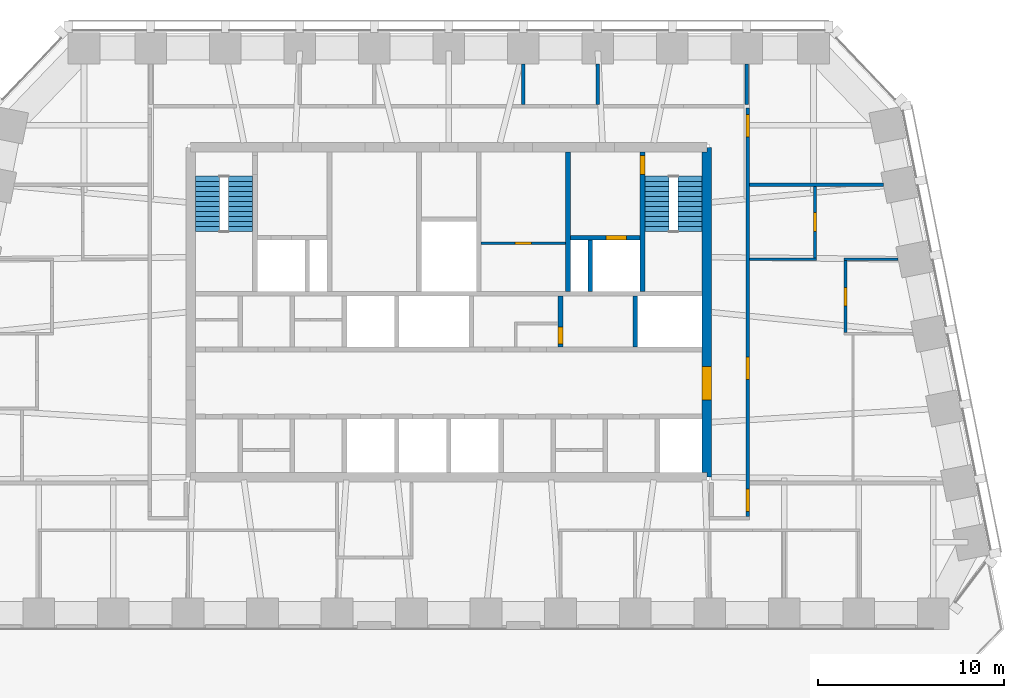
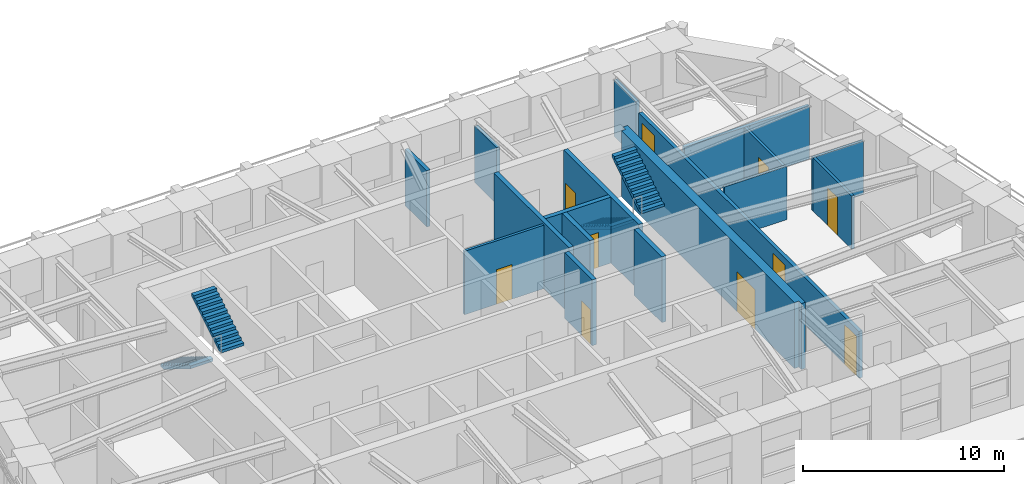
# One storey, part 7 of 10: 17 walls, 10 doors, 4 stair flights, 10 openings, 2 elements without a shape of their own.
"""IFC4 building model written with IfcOpenShell, lengths in metres."""

from ifc_helpers import new_model, si_unit, direction, frame, frame_2d, origin, place, context, subcontext, project, spatial, polyline, rectangle, outline, extrude, material, layer, layer_set, type_object, element, fill, aggregate, save


model = new_model("IFC4")

# Units and contexts
model_context = context("Model", 3, precision=1e-05, world=origin(), true_north=direction((0.0, 1.0)))
body_context = subcontext(model_context, "Body", "Model", "MODEL_VIEW")
ifc_project = project(units=[si_unit("LENGTHUNIT", "METRE"), si_unit("AREAUNIT", "SQUARE_METRE"), si_unit("VOLUMEUNIT", "CUBIC_METRE"), si_unit("PLANEANGLEUNIT", "RADIAN"), si_unit("MASSUNIT", "GRAM", prefix="KILO")], contexts=[model_context])

# Site, building, storey
site_placement = place(None, origin())
site = spatial("IfcSite", under=ifc_project, at=site_placement, CompositionType="ELEMENT")
building_placement = place(site_placement, origin())
building = spatial("IfcBuilding", under=site, at=building_placement, Name="Isbrekke Arena Tower", CompositionType="ELEMENT")
storey_placement = place(building_placement, frame((0.0, 0.0, 296.0)))
storey = spatial("IfcBuildingStorey", under=building, at=storey_placement, Name="L69", CompositionType="ELEMENT", Elevation=296.0)

# Wall, opening, door
ifc_material_1 = material(Name="Concrete B55 (C55/67)", Category="concrete")
ifc_layer_1 = layer(ifc_material_1, 0.5)
ifc_layer_set_1 = layer_set([ifc_layer_1], Name="CW5 CORE WALL 500")
wall_type_1 = type_object("IfcWallType", Name="CW5 CORE WALL 500", PredefinedType="SHEAR", material=ifc_layer_set_1)
wall_1_placement = place(storey_placement, frame((13.85009765625, 6.14990234375, 0.0), z_axis=(0.0, 0.0, 1.0), x_axis=(0.0, 1.0, 0.0)))
wall_1 = element("IfcWall", 1, at=wall_1_placement, inside=storey, type_object=wall_type_1, Name="Core wall E L69", PredefinedType="SHEAR", context=body_context, shape_type="SweptSolid", body=[
    extrude(outline(polyline([(0.0, -0.25), (17.7001953125, -0.25), (17.7001953125, 0.0), (17.4501953125, 0.0), (17.4501953125, 0.25), (0.25, 0.25), (0.25, 0.0), (0.0, 0.0), (0.0, -0.25)])), origin(), (0.0, 0.0, 1.0), 4.0),
])
opening_1_placement = place(wall_1_placement, frame((4.14990234375, 0.0, 0.0)))
opening_1 = element("IfcOpeningElement", 2, at=opening_1_placement, cuts=wall_1, Name="Opening D1", PredefinedType="OPENING", context=body_context, shape_type="SweptSolid", body=[
    extrude(rectangle(XDim=1.800048828125, YDim=2.39990234375, at=frame_2d((0.89990234375, 1.199951171875))), frame((0.0, 0.264892578125, 0.0), z_axis=(0.0, -1.0, 0.0), x_axis=(1.0, 0.0, 0.0)), (0.0, 0.0, 1.0), 0.52978515625),
])
ifc_material_2 = material(Name="Steel-framed glazed fire door", Category="steel")
door_type_1 = type_object("IfcDoorType", Name="D1 CORE LOBBY DOOR 1800 x 2400", OperationType="DOUBLE_DOOR_SINGLE_SWING", PredefinedType="DOOR", material=ifc_material_2)
door_1_placement = place(opening_1_placement, origin())
door_1 = element("IfcDoor", 3, at=door_1_placement, inside=storey, type_object=door_type_1, Name="D1 lift lobby door east L69", OperationType="DOUBLE_DOOR_SINGLE_SWING", OverallHeight=2.39990234375, OverallWidth=1.800048828125, PredefinedType="DOOR", context=body_context, shape_type="SweptSolid", body=[
    extrude(rectangle(XDim=1.800048828125, YDim=2.39990234375, at=frame_2d((0.89990234375, 1.199951171875))), frame((0.0, 0.249755859375, 0.0), z_axis=(0.0, -1.0, 0.0), x_axis=(1.0, 0.0, 0.0)), (0.0, 0.0, 1.0), 0.49951171875),
])
fill(opening_1, door_1)

ifc_material_3 = material(Name="Concrete B45 (C45/55)", Category="concrete")
ifc_layer_2 = layer(ifc_material_3, 0.25)
ifc_layer_set_2 = layer_set([ifc_layer_2], Name="CW6 SHAFT WALL 250")
wall_type_2 = type_object("IfcWallType", Name="CW6 SHAFT WALL 250", PredefinedType="SHEAR", material=ifc_layer_set_2)
wall_2_placement = place(storey_placement, frame((6.0, 13.125, 0.0), z_axis=(0.0, 0.0, 1.0), x_axis=(0.0, 1.0, 0.0)))
wall_2 = element("IfcWall", 4, at=wall_2_placement, inside=storey, type_object=wall_type_2, Name="Core wall SN06 L69", PredefinedType="SHEAR", context=body_context, shape_type="SweptSolid", body=[
    extrude(rectangle(XDim=2.75, YDim=0.25, at=frame_2d((1.375, 0.0))), origin(), (0.0, 0.0, 1.0), 4.0),
])
opening_2_placement = place(wall_2_placement, frame((0.175048828125, 0.0, 0.0)))
opening_2 = element("IfcOpeningElement", 5, at=opening_2_placement, cuts=wall_2, Name="Opening D5", PredefinedType="OPENING", context=body_context, shape_type="SweptSolid", body=[
    extrude(rectangle(XDim=0.89990234375, YDim=2.10009765625, at=frame_2d((0.449951171875, 1.050048828125))), frame((0.0, 0.139892578125, 0.0), z_axis=(0.0, -1.0, 0.0), x_axis=(1.0, 0.0, 0.0)), (0.0, 0.0, 1.0), 0.27978515625),
])
ifc_material_4 = material(Name="Steel fire door", Category="steel")
door_type_2 = type_object("IfcDoorType", Name="D5 SERVICE DOOR 900 x 2100", OperationType="SINGLE_SWING_LEFT", PredefinedType="DOOR", material=ifc_material_4)
door_2_placement = place(opening_2_placement, frame((0.89990234375, 0.0, 0.0), z_axis=(0.0, 0.0, 1.0), x_axis=(-1.0, 0.0, 0.0)))
door_2 = element("IfcDoor", 6, at=door_2_placement, inside=storey, type_object=door_type_2, Name="D5 store door L69", OperationType="SINGLE_SWING_LEFT", OverallHeight=2.10009765625, OverallWidth=0.89990234375, PredefinedType="DOOR", context=body_context, shape_type="SweptSolid", body=[
    extrude(rectangle(XDim=0.89990234375, YDim=2.10009765625, at=frame_2d((0.449951171875, 1.050048828125))), frame((0.0, 0.124755859375, 0.0), z_axis=(0.0, -1.0, 0.0), x_axis=(1.0, 0.0, 0.0)), (0.0, 0.0, 1.0), 0.24951171875),
])
fill(opening_2, door_2)

# Walls
wall_3_placement = place(storey_placement, frame((10.0, 13.125, 0.0), z_axis=(0.0, 0.0, 1.0), x_axis=(0.0, 1.0, 0.0)))
element("IfcWall", 7, at=wall_3_placement, inside=storey, type_object=wall_type_2, Name="Core wall SN07 L69", PredefinedType="SHEAR", context=body_context, shape_type="SweptSolid", body=[
    extrude(rectangle(XDim=2.75, YDim=0.25, at=frame_2d((1.375, 0.0))), origin(), (0.0, 0.0, 1.0), 4.0),
])
wall_4_placement = place(storey_placement, frame((6.39990234375, 16.125, 0.0), z_axis=(0.0, 0.0, 1.0), x_axis=(0.0, 1.0, 0.0)))
element("IfcWall", 8, at=wall_4_placement, inside=storey, type_object=wall_type_2, Name="Core wall NV05 L69", PredefinedType="SHEAR", context=body_context, shape_type="SweptSolid", body=[
    extrude(rectangle(XDim=7.47509765625, YDim=0.25, at=frame_2d((3.737548828125, 0.0))), origin(), (0.0, 0.0, 1.0), 4.0),
])

# Wall, opening, door
wall_5_placement = place(storey_placement, frame((10.39990234375, 16.125, 0.0), z_axis=(0.0, 0.0, 1.0), x_axis=(0.0, 1.0, 0.0)))
wall_5 = element("IfcWall", 9, at=wall_5_placement, inside=storey, type_object=wall_type_2, Name="Core wall NV06 L69", PredefinedType="SHEAR", context=body_context, shape_type="SweptSolid", body=[
    extrude(rectangle(XDim=7.47509765625, YDim=0.25, at=frame_2d((3.737548828125, 0.0))), origin(), (0.0, 0.0, 1.0), 4.0),
])
opening_3_placement = place(wall_5_placement, frame((6.27490234375, 0.0, 0.0)))
opening_3 = element("IfcOpeningElement", 10, at=opening_3_placement, cuts=wall_5, Name="Opening D2", PredefinedType="OPENING", context=body_context, shape_type="SweptSolid", body=[
    extrude(rectangle(XDim=1.0, YDim=2.10009765625, at=frame_2d((0.5, 1.050048828125))), frame((0.0, 0.139892578125, 0.0), z_axis=(0.0, -1.0, 0.0), x_axis=(1.0, 0.0, 0.0)), (0.0, 0.0, 1.0), 0.27978515625),
])
ifc_material_5 = material(Name="Steel fire door", Category="steel")
door_type_3 = type_object("IfcDoorType", Name="D2 STAIR DOOR 1000 x 2100", OperationType="SINGLE_SWING_LEFT", PredefinedType="DOOR", material=ifc_material_5)
door_3_placement = place(opening_3_placement, origin())
door_3 = element("IfcDoor", 11, at=door_3_placement, inside=storey, type_object=door_type_3, Name="D2 stair door ST2 L69", OperationType="SINGLE_SWING_LEFT", OverallHeight=2.10009765625, OverallWidth=1.0, PredefinedType="DOOR", context=body_context, shape_type="SweptSolid", body=[
    extrude(rectangle(XDim=1.0, YDim=2.10009765625, at=frame_2d((0.5, 1.050048828125))), frame((0.0, 0.124755859375, 0.0), z_axis=(0.0, -1.0, 0.0), x_axis=(1.0, 0.0, 0.0)), (0.0, 0.0, 1.0), 0.24951171875),
])
fill(opening_3, door_3)

wall_6_placement = place(storey_placement, frame((6.52490234375, 19.0, 0.0), z_axis=(0.0, 0.0, 1.0), x_axis=(1.0, 0.0, 0.0)))
wall_6 = element("IfcWall", 12, at=wall_6_placement, inside=storey, type_object=wall_type_2, Name="Core wall NFE L69", PredefinedType="SHEAR", context=body_context, shape_type="SweptSolid", body=[
    extrude(rectangle(XDim=3.75, YDim=0.25, at=frame_2d((1.875, 0.0))), origin(), (0.0, 0.0, 1.0), 4.0),
])
opening_4_placement = place(wall_6_placement, frame((1.925048828125, 0.0, 0.0)))
opening_4 = element("IfcOpeningElement", 13, at=opening_4_placement, cuts=wall_6, Name="Opening LD2", PredefinedType="OPENING", context=body_context, shape_type="SweptSolid", body=[
    extrude(rectangle(XDim=1.10009765625, YDim=2.10009765625, at=frame_2d((0.550048828125, 1.050048828125))), frame((0.0, 0.139892578125, 0.0), z_axis=(0.0, -1.0, 0.0), x_axis=(1.0, 0.0, 0.0)), (0.0, 0.0, 1.0), 0.27978515625),
])
ifc_material_6 = material(Name="Stainless steel lift landing door", Category="steel")
door_type_4 = type_object("IfcDoorType", Name="LD2 FIRE-FIGHTING LIFT LANDING DOOR 1100 x 2100", OperationType="SLIDING_TO_RIGHT", PredefinedType="DOOR", material=ifc_material_6)
door_4_placement = place(opening_4_placement, origin())
door_4 = element("IfcDoor", 14, at=door_4_placement, inside=storey, type_object=door_type_4, Name="LD2 lift landing door LF L69", OperationType="SLIDING_TO_RIGHT", OverallHeight=2.10009765625, OverallWidth=1.10009765625, PredefinedType="DOOR", context=body_context, shape_type="SweptSolid", body=[
    extrude(rectangle(XDim=1.10009765625, YDim=2.10009765625, at=frame_2d((0.550048828125, 1.050048828125))), frame((0.0, 0.124755859375, 0.0), z_axis=(0.0, -1.0, 0.0), x_axis=(1.0, 0.0, 0.0)), (0.0, 0.0, 1.0), 0.24951171875),
])
fill(opening_4, door_4)

# Walls
wall_7_placement = place(storey_placement, frame((7.60009765625, 16.125, 0.0), z_axis=(0.0, 0.0, 1.0), x_axis=(0.0, 1.0, 0.0)))
element("IfcWall", 15, at=wall_7_placement, inside=storey, type_object=wall_type_2, Name="Core wall NFS2 L69", PredefinedType="SHEAR", context=body_context, shape_type="SweptSolid", body=[
    extrude(rectangle(XDim=2.75, YDim=0.25, at=frame_2d((1.375, 0.0))), origin(), (0.0, 0.0, 1.0), 4.0),
])
ifc_material_7 = material(Name="Gypsum board partition on steel studs", Category="steel")
ifc_layer_3 = layer(ifc_material_7, 0.14990234375)
ifc_layer_set_3 = layer_set([ifc_layer_3], Name="IW1 PARTITION 150")
wall_type_3 = type_object("IfcWallType", Name="IW1 PARTITION 150", PredefinedType="PARTITIONING", material=ifc_layer_set_3)
wall_8_placement = place(storey_placement, frame((16.14990234375, 17.840087890625, 0.0), z_axis=(0.0, 0.0, 1.0), x_axis=(1.0, 0.0, 0.0)))
element("IfcWall", 16, at=wall_8_placement, inside=storey, type_object=wall_type_3, Name="IW1 partition 150 L69", PredefinedType="PARTITIONING", context=body_context, shape_type="SweptSolid", body=[
    extrude(rectangle(XDim=3.5751953125, YDim=0.14990234375, at=frame_2d((1.78759765625, 0.0))), origin(), (0.0, 0.0, 1.0), 3.22998046875),
])
wall_9_placement = place(storey_placement, frame((21.22509765625, 17.840087890625, 0.0), z_axis=(0.0, 0.0, 1.0), x_axis=(1.0, 0.0, 0.0)))
element("IfcWall", 17, at=wall_9_placement, inside=storey, type_object=wall_type_3, Name="IW1 partition 150 L69", PredefinedType="PARTITIONING", context=body_context, shape_type="SweptSolid", body=[
    extrude(rectangle(XDim=2.898681640625, YDim=0.14990234375, at=frame_2d((1.44921875, 0.0))), origin(), (0.0, 0.0, 1.0), 3.22998046875),
])

# Wall, opening, door
wall_10_placement = place(storey_placement, frame((19.64990234375, 17.9150390625, 0.0), z_axis=(0.0, 0.0, 1.0), x_axis=(0.0, 1.0, 0.0)))
wall_10 = element("IfcWall", 18, at=wall_10_placement, inside=storey, type_object=wall_type_3, Name="IW1 partition 150 L69", PredefinedType="PARTITIONING", context=body_context, shape_type="SweptSolid", body=[
    extrude(rectangle(XDim=3.824951171875, YDim=0.14990234375, at=frame_2d((1.91259765625, 0.0))), origin(), (0.0, 0.0, 1.0), 3.22998046875),
])
opening_5_placement = place(wall_10_placement, frame((1.425048828125, 0.0, 0.0)))
opening_5 = element("IfcOpeningElement", 19, at=opening_5_placement, cuts=wall_10, Name="Opening D10", PredefinedType="OPENING", context=body_context, shape_type="SweptSolid", body=[
    extrude(rectangle(XDim=1.0, YDim=2.300048828125, at=frame_2d((0.5, 1.14990234375))), frame((0.0, 0.08984375, 0.0), z_axis=(0.0, -1.0, 0.0), x_axis=(1.0, 0.0, 0.0)), (0.0, 0.0, 1.0), 0.1796875),
])
ifc_material_8 = material(Name="Timber door", Category="wood")
door_type_5 = type_object("IfcDoorType", Name="D10 OFFICE DOOR 1000 x 2300", OperationType="SINGLE_SWING_LEFT", PredefinedType="DOOR", material=ifc_material_8)
door_5_placement = place(opening_5_placement, origin())
door_5 = element("IfcDoor", 20, at=door_5_placement, inside=storey, type_object=door_type_5, Name="D10 tea point door L69", OperationType="SINGLE_SWING_LEFT", OverallHeight=2.300048828125, OverallWidth=1.0, PredefinedType="DOOR", context=body_context, shape_type="SweptSolid", body=[
    extrude(rectangle(XDim=1.0, YDim=2.300048828125, at=frame_2d((0.5, 1.14990234375))), frame((0.0, 0.07470703125, 0.0), z_axis=(0.0, -1.0, 0.0), x_axis=(1.0, 0.0, 0.0)), (0.0, 0.0, 1.0), 0.1494140625),
])
fill(opening_5, door_5)

wall_11_placement = place(storey_placement, frame((21.300048828125, 13.9150390625, 0.0), z_axis=(0.0, 0.0, 1.0), x_axis=(0.0, 1.0, 0.0)))
wall_11 = element("IfcWall", 21, at=wall_11_placement, inside=storey, type_object=wall_type_3, Name="IW1 partition 150 L69", PredefinedType="PARTITIONING", context=body_context, shape_type="SweptSolid", body=[
    extrude(rectangle(XDim=3.849853515625, YDim=0.14990234375, at=frame_2d((1.9248046875, 0.0))), origin(), (0.0, 0.0, 1.0), 3.22998046875),
])
opening_6_placement = place(wall_11_placement, frame((1.425048828125, 0.0, 0.0)))
opening_6 = element("IfcOpeningElement", 22, at=opening_6_placement, cuts=wall_11, Name="Opening D10", PredefinedType="OPENING", context=body_context, shape_type="SweptSolid", body=[
    extrude(rectangle(XDim=1.0, YDim=2.300048828125, at=frame_2d((0.5, 1.14990234375))), frame((0.0, 0.08984375, 0.0), z_axis=(0.0, -1.0, 0.0), x_axis=(1.0, 0.0, 0.0)), (0.0, 0.0, 1.0), 0.1796875),
])
door_6_placement = place(opening_6_placement, origin())
door_6 = element("IfcDoor", 23, at=door_6_placement, inside=storey, type_object=door_type_5, Name="D10 office door L69", OperationType="SINGLE_SWING_LEFT", OverallHeight=2.300048828125, OverallWidth=1.0, PredefinedType="DOOR", context=body_context, shape_type="SweptSolid", body=[
    extrude(rectangle(XDim=1.0, YDim=2.300048828125, at=frame_2d((0.5, 1.14990234375))), frame((0.0, 0.07470703125, 0.0), z_axis=(0.0, -1.0, 0.0), x_axis=(1.0, 0.0, 0.0)), (0.0, 0.0, 1.0), 0.1494140625),
])
fill(opening_6, door_6)

# Walls
ifc_material_9 = material(Name="Gypsum board fire-cell wall on steel studs, two layers each side", Category="steel")
ifc_layer_4 = layer(ifc_material_9, 0.199951171875)
ifc_layer_set_4 = layer_set([ifc_layer_4], Name="IW3 FIRE-CELL WALL 200")
wall_type_4 = type_object("IfcWallType", Name="IW3 FIRE-CELL WALL 200", PredefinedType="PARTITIONING", material=ifc_layer_set_4)
wall_12_placement = place(storey_placement, frame((16.14990234375, 21.840087890625, 0.0), z_axis=(0.0, 0.0, 1.0), x_axis=(1.0, 0.0, 0.0)))
element("IfcWall", 24, at=wall_12_placement, inside=storey, type_object=wall_type_4, Name="IW3 fire-cell wall 200 L69", PredefinedType="PARTITIONING", context=body_context, shape_type="SweptSolid", body=[
    extrude(rectangle(XDim=7.173828125, YDim=0.199951171875, at=frame_2d((3.5869140625, 0.0))), origin(), (0.0, 0.0, 1.0), 3.22998046875),
])
for number, where, z_axis, x_axis, name in (
    (25, (4.0, 26.14990234375, 0.0), (0.0, 0.0, 1.0), (0.0, 1.0, 0.0), "IW3 fire-cell wall 200 L69"),
    (26, (8.0, 26.14990234375, 0.0), (0.0, 0.0, 1.0), (0.0, 1.0, 0.0), "IW3 fire-cell wall 200 L69"),
    (27, (16.0, 26.14990234375, 0.0), (0.0, 0.0, 1.0), (0.0, 1.0, 0.0), "IW3 fire-cell wall 200 L69"),
):
    element("IfcWall", number, at=place(storey_placement, frame(where, z_axis=z_axis, x_axis=x_axis)), inside=storey, type_object=wall_type_4, Name=name, PredefinedType="PARTITIONING", context=body_context, shape_type="SweptSolid", body=[
        extrude(rectangle(XDim=2.175048828125, YDim=0.199951171875, at=frame_2d((1.08740234375, 0.0))), origin(), (0.0, 0.0, 1.0), 3.41796875),
    ])

# Wall, openings, doors
wall_13_placement = place(storey_placement, frame((16.050048828125, 4.050048828125, 0.0), z_axis=(0.0, 0.0, 1.0), x_axis=(0.0, 1.0, 0.0)))
wall_13 = element("IfcWall", 28, at=wall_13_placement, inside=storey, type_object=wall_type_4, Name="IW3 fire-cell wall 200 L69", PredefinedType="PARTITIONING", context=body_context, shape_type="SweptSolid", body=[
    extrude(rectangle(XDim=21.89990234375, YDim=0.199951171875, at=frame_2d((10.949951171875, 0.0))), origin(), (0.0, 0.0, 1.0), 2.842041015625),
])
opening_7_placement = place(wall_13_placement, frame((0.25, 0.0, 0.0)))
opening_7 = element("IfcOpeningElement", 29, at=opening_7_placement, cuts=wall_13, Name="Opening D12", PredefinedType="OPENING", context=body_context, shape_type="SweptSolid", body=[
    extrude(rectangle(XDim=1.199951171875, YDim=2.39990234375, at=frame_2d((0.60009765625, 1.199951171875))), frame((0.0, 0.11474609375, 0.0), z_axis=(0.0, -1.0, 0.0), x_axis=(1.0, 0.0, 0.0)), (0.0, 0.0, 1.0), 0.229736328125),
])
opening_8_placement = place(wall_13_placement, frame((7.35009765625, 0.0, 0.0)))
opening_8 = element("IfcOpeningElement", 30, at=opening_8_placement, cuts=wall_13, Name="Opening D12", PredefinedType="OPENING", context=body_context, shape_type="SweptSolid", body=[
    extrude(rectangle(XDim=1.199951171875, YDim=2.39990234375, at=frame_2d((0.60009765625, 1.199951171875))), frame((0.0, 0.11474609375, 0.0), z_axis=(0.0, -1.0, 0.0), x_axis=(1.0, 0.0, 0.0)), (0.0, 0.0, 1.0), 0.229736328125),
])
opening_9_placement = place(wall_13_placement, frame((20.35009765625, 0.0, 0.0)))
opening_9 = element("IfcOpeningElement", 31, at=opening_9_placement, cuts=wall_13, Name="Opening D12", PredefinedType="OPENING", context=body_context, shape_type="SweptSolid", body=[
    extrude(rectangle(XDim=1.199951171875, YDim=2.39990234375, at=frame_2d((0.60009765625, 1.199951171875))), frame((0.0, 0.11474609375, 0.0), z_axis=(0.0, -1.0, 0.0), x_axis=(1.0, 0.0, 0.0)), (0.0, 0.0, 1.0), 0.229736328125),
])
ifc_material_10 = material(Name="Timber fire door with vision panel", Category="wood")
door_type_6 = type_object("IfcDoorType", Name="D12 SUITE ENTRANCE DOOR 1200 x 2400", OperationType="SINGLE_SWING_LEFT", PredefinedType="DOOR", material=ifc_material_10)
door_7_placement = place(opening_7_placement, origin())
door_7 = element("IfcDoor", 32, at=door_7_placement, inside=storey, type_object=door_type_6, Name="D12 suite entrance S door L69", OperationType="SINGLE_SWING_LEFT", OverallHeight=2.39990234375, OverallWidth=1.199951171875, PredefinedType="DOOR", context=body_context, shape_type="SweptSolid", body=[
    extrude(rectangle(XDim=1.199951171875, YDim=2.39990234375, at=frame_2d((0.60009765625, 1.199951171875))), frame((0.0, 0.099609375, 0.0), z_axis=(0.0, -1.0, 0.0), x_axis=(1.0, 0.0, 0.0)), (0.0, 0.0, 1.0), 0.199462890625),
])
fill(opening_7, door_7)
door_8_placement = place(opening_8_placement, origin())
door_8 = element("IfcDoor", 33, at=door_8_placement, inside=storey, type_object=door_type_6, Name="D12 suite entrance E door L69", OperationType="SINGLE_SWING_LEFT", OverallHeight=2.39990234375, OverallWidth=1.199951171875, PredefinedType="DOOR", context=body_context, shape_type="SweptSolid", body=[
    extrude(rectangle(XDim=1.199951171875, YDim=2.39990234375, at=frame_2d((0.60009765625, 1.199951171875))), frame((0.0, 0.099609375, 0.0), z_axis=(0.0, -1.0, 0.0), x_axis=(1.0, 0.0, 0.0)), (0.0, 0.0, 1.0), 0.199462890625),
])
fill(opening_8, door_8)
door_9_placement = place(opening_9_placement, origin())
door_9 = element("IfcDoor", 34, at=door_9_placement, inside=storey, type_object=door_type_6, Name="D12 suite entrance NCE door L69", OperationType="SINGLE_SWING_LEFT", OverallHeight=2.39990234375, OverallWidth=1.199951171875, PredefinedType="DOOR", context=body_context, shape_type="SweptSolid", body=[
    extrude(rectangle(XDim=1.199951171875, YDim=2.39990234375, at=frame_2d((0.60009765625, 1.199951171875))), frame((0.0, 0.099609375, 0.0), z_axis=(0.0, -1.0, 0.0), x_axis=(1.0, 0.0, 0.0)), (0.0, 0.0, 1.0), 0.199462890625),
])
fill(opening_9, door_9)

# Wall, opening, door
ifc_material_11 = material(Name="Gypsum board fire-rated partition on steel studs, two layers each side", Category="steel")
ifc_layer_5 = layer(ifc_material_11, 0.14990234375)
ifc_layer_set_5 = layer_set([ifc_layer_5], Name="IW5 FIRE-RATED PARTITION 150")
wall_type_5 = type_object("IfcWallType", Name="IW5 FIRE-RATED PARTITION 150", PredefinedType="PARTITIONING", material=ifc_layer_set_5)
wall_14_placement = place(storey_placement, frame((1.72509765625, 18.699951171875, 0.0), z_axis=(0.0, 0.0, 1.0), x_axis=(1.0, 0.0, 0.0)))
wall_14 = element("IfcWall", 35, at=wall_14_placement, inside=storey, type_object=wall_type_5, Name="IW5 fire-rated partition L69 cleaner's store M", PredefinedType="PARTITIONING", context=body_context, shape_type="SweptSolid", body=[
    extrude(rectangle(XDim=4.5498046875, YDim=0.14990234375, at=frame_2d((2.27490234375, 0.0))), origin(), (0.0, 0.0, 1.0), 3.85009765625),
])
opening_10_placement = place(wall_14_placement, frame((1.824951171875, 0.0, 0.0)))
opening_10 = element("IfcOpeningElement", 36, at=opening_10_placement, cuts=wall_14, Name="Opening D5", PredefinedType="OPENING", context=body_context, shape_type="SweptSolid", body=[
    extrude(rectangle(XDim=0.89990234375, YDim=2.10009765625, at=frame_2d((0.449951171875, 1.050048828125))), frame((0.0, 0.08984375, 0.0), z_axis=(0.0, -1.0, 0.0), x_axis=(1.0, 0.0, 0.0)), (0.0, 0.0, 1.0), 0.1796875),
])
door_10_placement = place(opening_10_placement, origin())
door_10 = element("IfcDoor", 37, at=door_10_placement, inside=storey, type_object=door_type_2, Name="D5 cleaner's store door L69", OperationType="SINGLE_SWING_LEFT", OverallHeight=2.10009765625, OverallWidth=0.89990234375, PredefinedType="DOOR", context=body_context, shape_type="SweptSolid", body=[
    extrude(rectangle(XDim=0.89990234375, YDim=2.10009765625, at=frame_2d((0.449951171875, 1.050048828125))), frame((0.0, 0.07470703125, 0.0), z_axis=(0.0, -1.0, 0.0), x_axis=(1.0, 0.0, 0.0)), (0.0, 0.0, 1.0), 0.1494140625),
])
fill(opening_10, door_10)

# Stair, stair flights
ifc_material_12 = material(Name="Concrete B45 (C45/55) precast", Category="concrete")
stair_type = type_object("IfcStairType", Name="ST40 STAIR 1300 WIDE, 24 RISERS 167", PredefinedType="HALF_TURN_STAIR", material=ifc_material_12)
stair_1_placement = place(storey_placement, origin())
stair_1 = element("IfcStair", 38, at=stair_1_placement, inside=storey, type_object=stair_type, Name="ST1 stair L69", PredefinedType="HALF_TURN_STAIR")
ifc_material_13 = material(Name="Concrete B45 (C45/55) precast", Category="concrete")
stair_flight_type = type_object("IfcStairFlightType", Name="SF 1300 FLIGHT", PredefinedType="STRAIGHT", material=ifc_material_13)
stair_flight_1_placement = place(storey_placement, frame((-12.949951171875, 22.300048828125, 0.0), z_axis=(0.0, 0.0, 1.0), x_axis=(0.0, -1.0, 0.0)))
stair_flight_1 = element("IfcStairFlight", 39, at=stair_flight_1_placement, type_object=stair_flight_type, Name="ST1 flight 1", NumberOfRisers=12, NumberOfTreads=11, PredefinedType="STRAIGHT", RiserHeight=0.166666667, TreadLength=0.27, context=body_context, shape_type="SweptSolid", body=[
    extrude(outline(polyline([(0.0, 0.0), (0.0, 0.166748046875), (0.27001953125, 0.166748046875), (0.27001953125, 0.333251953125), (0.5400390625, 0.333251953125), (0.5400390625, 0.5), (0.81005859375, 0.5), (0.81005859375, 0.666748046875), (1.080078125, 0.666748046875), (1.080078125, 0.833251953125), (1.35009765625, 0.833251953125), (1.35009765625, 1.0), (1.6201171875, 1.0), (1.6201171875, 1.166748046875), (1.889892578125, 1.166748046875), (1.889892578125, 1.333251953125), (2.159912109375, 1.333251953125), (2.159912109375, 1.5), (2.429931640625, 1.5), (2.429931640625, 1.666748046875), (2.699951171875, 1.666748046875), (2.699951171875, 1.833251953125), (2.969970703125, 1.833251953125), (2.969970703125, 2.0), (2.969970703125, 1.6572265625), (0.285400390625, 0.0), (0.0, 0.0)])), frame((0.0, 0.64990234375, 0.0), z_axis=(0.0, -1.0, 0.0), x_axis=(1.0, 0.0, 0.0)), (0.0, 0.0, 1.0), 1.300048828125),
])
stair_flight_2_placement = place(storey_placement, frame((-11.175048828125, 19.330078125, 2.0), z_axis=(0.0, 0.0, 1.0), x_axis=(0.0, 1.0, 0.0)))
stair_flight_2 = element("IfcStairFlight", 40, at=stair_flight_2_placement, type_object=stair_flight_type, Name="ST1 flight 2", NumberOfRisers=12, NumberOfTreads=11, PredefinedType="STRAIGHT", RiserHeight=0.166666667, TreadLength=0.27, context=body_context, shape_type="SweptSolid", body=[
    extrude(outline(polyline([(0.0, 0.0), (0.0, 0.166748046875), (0.27001953125, 0.166748046875), (0.27001953125, 0.333251953125), (0.5400390625, 0.333251953125), (0.5400390625, 0.5), (0.81005859375, 0.5), (0.81005859375, 0.666748046875), (1.080078125, 0.666748046875), (1.080078125, 0.833251953125), (1.35009765625, 0.833251953125), (1.35009765625, 1.0), (1.6201171875, 1.0), (1.6201171875, 1.166748046875), (1.889892578125, 1.166748046875), (1.889892578125, 1.333251953125), (2.159912109375, 1.333251953125), (2.159912109375, 1.5), (2.429931640625, 1.5), (2.429931640625, 1.666748046875), (2.699951171875, 1.666748046875), (2.699951171875, 1.833251953125), (2.969970703125, 1.833251953125), (2.969970703125, 2.0), (2.969970703125, 1.6572265625), (0.285400390625, 0.0), (0.0, 0.0)])), frame((0.0, 0.64990234375, 0.0), z_axis=(0.0, -1.0, 0.0), x_axis=(1.0, 0.0, 0.0)), (0.0, 0.0, 1.0), 1.300048828125),
])
aggregate(stair_1, [stair_flight_1, stair_flight_2])

stair_2_placement = place(storey_placement, origin())
stair_2 = element("IfcStair", 41, at=stair_2_placement, inside=storey, type_object=stair_type, Name="ST2 stair L69", PredefinedType="HALF_TURN_STAIR")
stair_flight_3_placement = place(storey_placement, frame((11.175048828125, 22.300048828125, 0.0), z_axis=(0.0, 0.0, 1.0), x_axis=(0.0, -1.0, 0.0)))
stair_flight_3 = element("IfcStairFlight", 42, at=stair_flight_3_placement, type_object=stair_flight_type, Name="ST2 flight 1", NumberOfRisers=12, NumberOfTreads=11, PredefinedType="STRAIGHT", RiserHeight=0.166666667, TreadLength=0.27, context=body_context, shape_type="SweptSolid", body=[
    extrude(outline(polyline([(0.0, 0.0), (0.0, 0.166748046875), (0.27001953125, 0.166748046875), (0.27001953125, 0.333251953125), (0.5400390625, 0.333251953125), (0.5400390625, 0.5), (0.81005859375, 0.5), (0.81005859375, 0.666748046875), (1.080078125, 0.666748046875), (1.080078125, 0.833251953125), (1.35009765625, 0.833251953125), (1.35009765625, 1.0), (1.6201171875, 1.0), (1.6201171875, 1.166748046875), (1.889892578125, 1.166748046875), (1.889892578125, 1.333251953125), (2.159912109375, 1.333251953125), (2.159912109375, 1.5), (2.429931640625, 1.5), (2.429931640625, 1.666748046875), (2.699951171875, 1.666748046875), (2.699951171875, 1.833251953125), (2.969970703125, 1.833251953125), (2.969970703125, 2.0), (2.969970703125, 1.6572265625), (0.285400390625, 0.0), (0.0, 0.0)])), frame((0.0, 0.64990234375, 0.0), z_axis=(0.0, -1.0, 0.0), x_axis=(1.0, 0.0, 0.0)), (0.0, 0.0, 1.0), 1.300048828125),
])
stair_flight_4_placement = place(storey_placement, frame((12.949951171875, 19.330078125, 2.0), z_axis=(0.0, 0.0, 1.0), x_axis=(0.0, 1.0, 0.0)))
stair_flight_4 = element("IfcStairFlight", 43, at=stair_flight_4_placement, type_object=stair_flight_type, Name="ST2 flight 2", NumberOfRisers=12, NumberOfTreads=11, PredefinedType="STRAIGHT", RiserHeight=0.166666667, TreadLength=0.27, context=body_context, shape_type="SweptSolid", body=[
    extrude(outline(polyline([(0.0, 0.0), (0.0, 0.166748046875), (0.27001953125, 0.166748046875), (0.27001953125, 0.333251953125), (0.5400390625, 0.333251953125), (0.5400390625, 0.5), (0.81005859375, 0.5), (0.81005859375, 0.666748046875), (1.080078125, 0.666748046875), (1.080078125, 0.833251953125), (1.35009765625, 0.833251953125), (1.35009765625, 1.0), (1.6201171875, 1.0), (1.6201171875, 1.166748046875), (1.889892578125, 1.166748046875), (1.889892578125, 1.333251953125), (2.159912109375, 1.333251953125), (2.159912109375, 1.5), (2.429931640625, 1.5), (2.429931640625, 1.666748046875), (2.699951171875, 1.666748046875), (2.699951171875, 1.833251953125), (2.969970703125, 1.833251953125), (2.969970703125, 2.0), (2.969970703125, 1.6572265625), (0.285400390625, 0.0), (0.0, 0.0)])), frame((0.0, 0.64990234375, 0.0), z_axis=(0.0, -1.0, 0.0), x_axis=(1.0, 0.0, 0.0)), (0.0, 0.0, 1.0), 1.300048828125),
])
aggregate(stair_2, [stair_flight_3, stair_flight_4])

save(model, "model.ifc")
